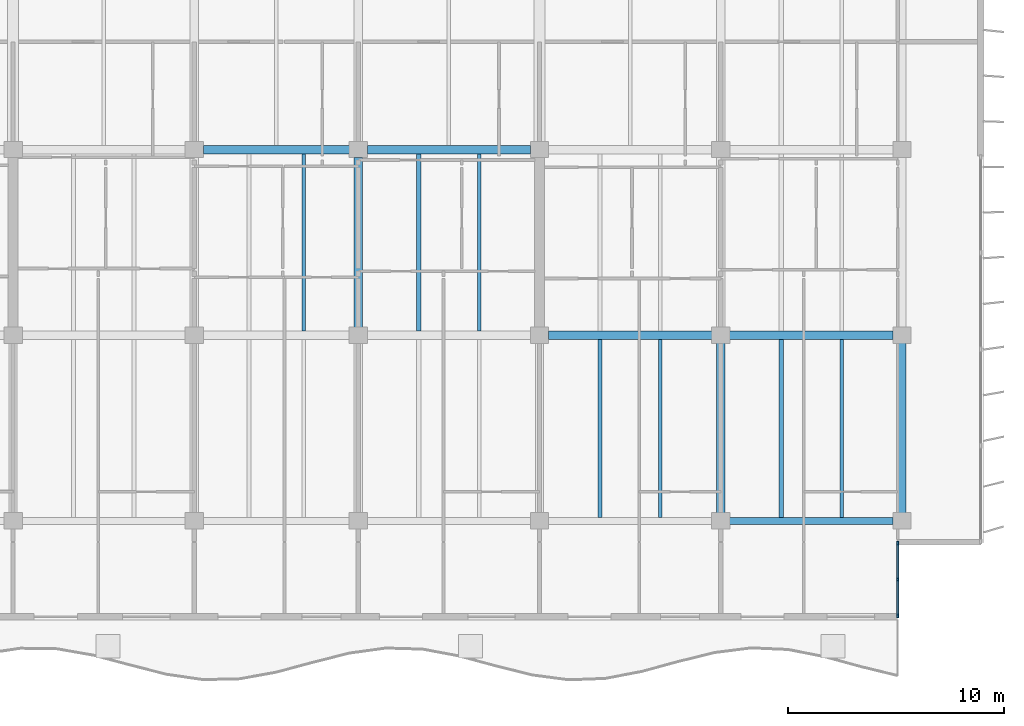
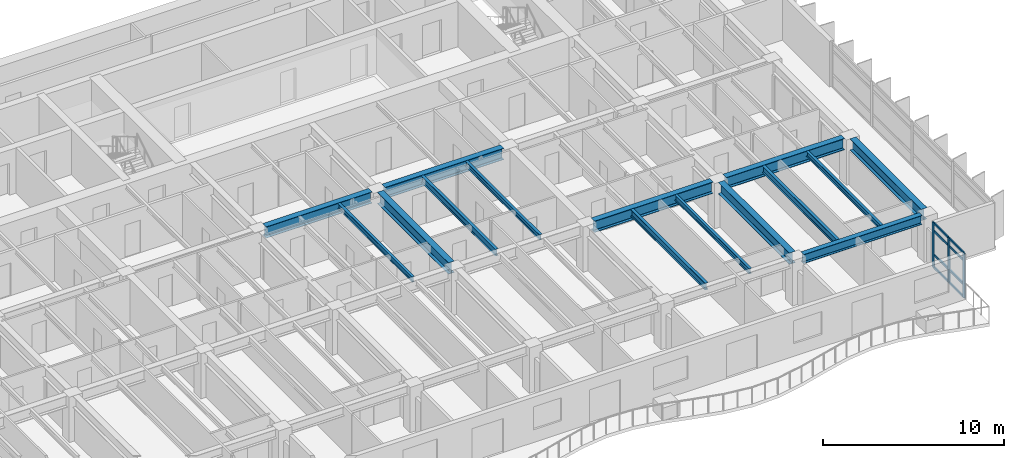
# One storey, part 4 of 19: 15 beams, 11 members, 1 element without a shape of its own.
"""IFC4 building model written with IfcOpenShell, lengths in metres."""

from ifc_helpers import new_model, si_unit, direction, frame, origin, origin_2d, place, context, subcontext, project, spatial, rectangle, i_section, extrude, material, layer, layer_set, material_profile, profile_set, type_object, element, aggregate, save


model = new_model("IFC4")

# Units and contexts
model_context = context("Model", 3, precision=1e-05, world=origin(), true_north=direction((0.0, 1.0)))
body_context = subcontext(model_context, "Body", "Model", "MODEL_VIEW")
ifc_project = project(units=[si_unit("LENGTHUNIT", "METRE"), si_unit("AREAUNIT", "SQUARE_METRE"), si_unit("VOLUMEUNIT", "CUBIC_METRE"), si_unit("PLANEANGLEUNIT", "RADIAN"), si_unit("MASSUNIT", "GRAM", prefix="KILO")], contexts=[model_context])

# Site, building, storey
site_placement = place(None, origin())
site = spatial("IfcSite", under=ifc_project, at=site_placement, CompositionType="ELEMENT")
building_placement = place(site_placement, origin())
building = spatial("IfcBuilding", under=site, at=building_placement, Name="Caelmar Bay Residences", CompositionType="ELEMENT")
storey_placement = place(building_placement, frame((0.0, 0.0, 214.800048828125)))
storey = spatial("IfcBuildingStorey", under=building, at=storey_placement, Name="L60", CompositionType="ELEMENT", Elevation=214.800048828125)

# Beams
ifc_material_1 = material(Name="Steel ASTM A992 Grade 50", Category="steel")
ifc_material_profile_1 = material_profile(ifc_material_1, i_section(OverallWidth=0.381103515625, OverallDepth=0.77197265625, WebThickness=0.0166015625, FlangeThickness=0.027099609375, FilletRadius=0.0166015625, at=origin_2d()), Name="W30X173")
ifc_profile_set_1 = profile_set([ifc_material_profile_1], Name="Steel ASTM A992 Grade 50")
beam_type_1 = type_object("IfcBeamType", Name="BM-GRD-W30X173", PredefinedType="BEAM", material=ifc_profile_set_1)
for number, where, z_axis, x_axis, name in (
    (1, (51.514892578125, 20.800048828125, 2.6640625), (1.0, 0.0, 0.0), (0.0, 1.0, 0.0), "L60 East-West Girder Y=20.80 (51.1-59.5)"),
    (2, (59.9150390625, 20.800048828125, 2.6640625), (1.0, 0.0, 0.0), (0.0, 1.0, 0.0), "L60 East-West Girder Y=20.80 (59.5-67.9)"),
):
    element("IfcBeam", number, at=place(storey_placement, frame(where, z_axis=z_axis, x_axis=x_axis)), inside=storey, type_object=beam_type_1, Name=name, PredefinedType="BEAM", context=body_context, shape_type="SweptSolid", body=[
        extrude(i_section(OverallWidth=0.381103515625, OverallDepth=0.77197265625, WebThickness=0.0166015625, FlangeThickness=0.027099609375, FilletRadius=0.0166015625, at=origin_2d()), origin(), (0.0, 0.0, 1.0), 7.570068359375),
    ])
beam_1_placement = place(storey_placement, frame((35.514892578125, 29.39990234375, 2.6640625), z_axis=(1.0, 0.0, 0.0), x_axis=(0.0, 1.0, 0.0)))
element("IfcBeam", 3, at=beam_1_placement, inside=storey, type_object=beam_type_1, Name="L60 East-West Girder Y=29.40 (35.1-42.7)", PredefinedType="BEAM", context=body_context, shape_type="SweptSolid", body=[
    extrude(i_section(OverallWidth=0.381103515625, OverallDepth=0.77197265625, WebThickness=0.0166015625, FlangeThickness=0.027099609375, FilletRadius=0.0166015625, at=origin_2d()), origin(), (0.0, 0.0, 1.0), 6.77001953125),
])
beam_2_placement = place(storey_placement, frame((43.114990234375, 29.39990234375, 2.6640625), z_axis=(1.0, 0.0, 0.0), x_axis=(0.0, 1.0, 0.0)))
element("IfcBeam", 4, at=beam_2_placement, inside=storey, type_object=beam_type_1, Name="L60 East-West Girder Y=29.40 (42.7-51.1)", PredefinedType="BEAM", context=body_context, shape_type="SweptSolid", body=[
    extrude(i_section(OverallWidth=0.381103515625, OverallDepth=0.77197265625, WebThickness=0.0166015625, FlangeThickness=0.027099609375, FilletRadius=0.0166015625, at=origin_2d()), origin(), (0.0, 0.0, 1.0), 7.570068359375),
])
beam_3_placement = place(storey_placement, frame((42.699951171875, 21.1650390625, 2.6640625), z_axis=(0.0, 1.0, 0.0), x_axis=(-1.0, 0.0, 0.0)))
element("IfcBeam", 5, at=beam_3_placement, inside=storey, type_object=beam_type_1, Name="L60 North-South Girder X=42.70 (20.8-29.4)", PredefinedType="BEAM", context=body_context, shape_type="SweptSolid", body=[
    extrude(i_section(OverallWidth=0.381103515625, OverallDepth=0.77197265625, WebThickness=0.0166015625, FlangeThickness=0.027099609375, FilletRadius=0.0166015625, at=origin_2d()), origin(), (0.0, 0.0, 1.0), 7.869873046875),
])
for number, where, z_axis, x_axis, name in (
    (6, (59.5, 12.56494140625, 2.6640625), (0.0, 1.0, 0.0), (-1.0, 0.0, 0.0), "L60 North-South Girder X=59.50 (12.2-20.8)"),
    (7, (67.89990234375, 12.56494140625, 2.6640625), (0.0, 1.0, 0.0), (-1.0, 0.0, 0.0), "L60 North-South Girder X=67.90 (12.2-20.8)"),
):
    element("IfcBeam", number, at=place(storey_placement, frame(where, z_axis=z_axis, x_axis=x_axis)), inside=storey, type_object=beam_type_1, Name=name, PredefinedType="BEAM", context=body_context, shape_type="SweptSolid", body=[
        extrude(i_section(OverallWidth=0.381103515625, OverallDepth=0.77197265625, WebThickness=0.0166015625, FlangeThickness=0.027099609375, FilletRadius=0.0166015625, at=origin_2d()), origin(), (0.0, 0.0, 1.0), 7.8701171875),
    ])
ifc_material_profile_2 = material_profile(ifc_material_1, i_section(OverallWidth=0.1708984375, OverallDepth=0.35595703125, WebThickness=0.007080078125, FlangeThickness=0.01171875, FilletRadius=0.007568359375, at=origin_2d()), Name="W14X34")
ifc_profile_set_2 = profile_set([ifc_material_profile_2], Name="Steel ASTM A992 Grade 50")
beam_type_2 = type_object("IfcBeamType", Name="BM-JST-W14X34", PredefinedType="JOIST", material=ifc_profile_set_2)
for number, where, z_axis, x_axis, name in (
    (8, (56.699951171875, 12.362548828125, 2.8720703125), (0.0, 1.0, 0.0), (-1.0, 0.0, 0.0), "L60 Composite Floor Joist 12"),
    (9, (65.10009765625, 12.362548828125, 2.8720703125), (0.0, 1.0, 0.0), (-1.0, 0.0, 0.0), "L60 Composite Floor Joist 14"),
):
    element("IfcBeam", number, at=place(storey_placement, frame(where, z_axis=z_axis, x_axis=x_axis)), inside=storey, type_object=beam_type_2, Name=name, PredefinedType="JOIST", context=body_context, shape_type="SweptSolid", body=[
        extrude(i_section(OverallWidth=0.1708984375, OverallDepth=0.35595703125, WebThickness=0.007080078125, FlangeThickness=0.01171875, FilletRadius=0.007568359375, at=origin_2d()), origin(), (0.0, 0.0, 1.0), 8.2470703125),
    ])
for number, where, z_axis, x_axis, name in (
    (10, (40.166748046875, 20.990478515625, 2.8720703125), (0.0, 1.0, 0.0), (-1.0, 0.0, 0.0), "L60 Composite Floor Joist 22"),
    (11, (48.300048828125, 20.990478515625, 2.8720703125), (0.0, 1.0, 0.0), (-1.0, 0.0, 0.0), "L60 Composite Floor Joist 24"),
):
    element("IfcBeam", number, at=place(storey_placement, frame(where, z_axis=z_axis, x_axis=x_axis)), inside=storey, type_object=beam_type_2, Name=name, PredefinedType="JOIST", context=body_context, shape_type="SweptSolid", body=[
        extrude(i_section(OverallWidth=0.1708984375, OverallDepth=0.35595703125, WebThickness=0.007080078125, FlangeThickness=0.01171875, FilletRadius=0.007568359375, at=origin_2d()), origin(), (0.0, 0.0, 1.0), 8.218994140625),
    ])
ifc_material_profile_3 = material_profile(ifc_material_1, i_section(OverallWidth=0.19091796875, OverallDepth=0.45703125, WebThickness=0.009033203125, FlangeThickness=0.014404296875, FilletRadius=0.01025390625, at=origin_2d()), Name="W18X50")
ifc_profile_set_3 = profile_set([ifc_material_profile_3], Name="Steel ASTM A992 Grade 50")
beam_type_3 = type_object("IfcBeamType", Name="BM-JST-W18X50", PredefinedType="JOIST", material=ifc_profile_set_3)
for number, where, z_axis, x_axis, name in (
    (12, (53.89990234375, 12.362548828125, 2.821533203125), (0.0, 1.0, 0.0), (-1.0, 0.0, 0.0), "L60 Composite Floor Joist 11"),
    (13, (62.300048828125, 12.362548828125, 2.821533203125), (0.0, 1.0, 0.0), (-1.0, 0.0, 0.0), "L60 Composite Floor Joist 13"),
):
    element("IfcBeam", number, at=place(storey_placement, frame(where, z_axis=z_axis, x_axis=x_axis)), inside=storey, type_object=beam_type_3, Name=name, PredefinedType="JOIST", context=body_context, shape_type="SweptSolid", body=[
        extrude(i_section(OverallWidth=0.19091796875, OverallDepth=0.45703125, WebThickness=0.009033203125, FlangeThickness=0.014404296875, FilletRadius=0.01025390625, at=origin_2d()), origin(), (0.0, 0.0, 1.0), 8.2470703125),
    ])
beam_4_placement = place(storey_placement, frame((45.5, 20.990478515625, 2.821533203125), z_axis=(0.0, 1.0, 0.0), x_axis=(-1.0, 0.0, 0.0)))
element("IfcBeam", 14, at=beam_4_placement, inside=storey, type_object=beam_type_3, Name="L60 Composite Floor Joist 23", PredefinedType="JOIST", context=body_context, shape_type="SweptSolid", body=[
    extrude(i_section(OverallWidth=0.19091796875, OverallDepth=0.45703125, WebThickness=0.009033203125, FlangeThickness=0.014404296875, FilletRadius=0.01025390625, at=origin_2d()), origin(), (0.0, 0.0, 1.0), 8.218994140625),
])
ifc_material_profile_4 = material_profile(ifc_material_1, i_section(OverallWidth=0.324951171875, OverallDepth=0.616943359375, WebThickness=0.013916015625, FlangeThickness=0.021484375, FilletRadius=0.0126953125, at=origin_2d()), Name="W24X117")
ifc_profile_set_4 = profile_set([ifc_material_profile_4], Name="Steel ASTM A992 Grade 50")
beam_type_4 = type_object("IfcBeamType", Name="BM-SPN-W24X117", PredefinedType="SPANDREL", material=ifc_profile_set_4)
beam_5_placement = place(storey_placement, frame((59.9150390625, 12.199951171875, 2.741455078125), z_axis=(1.0, 0.0, 0.0), x_axis=(0.0, 1.0, 0.0)))
element("IfcBeam", 15, at=beam_5_placement, inside=storey, type_object=beam_type_4, Name="L60 East-West Girder Y=12.20 (59.5-67.9)", PredefinedType="SPANDREL", context=body_context, shape_type="SweptSolid", body=[
    extrude(i_section(OverallWidth=0.324951171875, OverallDepth=0.616943359375, WebThickness=0.013916015625, FlangeThickness=0.021484375, FilletRadius=0.0126953125, at=origin_2d()), origin(), (0.0, 0.0, 1.0), 7.570068359375),
])

# Curtain wall, members
ifc_material_2 = material(Name="Anodised bronze aluminium 6063-T6 and laminated glass", Category="aluminium")
ifc_layer = layer(ifc_material_2, 0.179931640625)
ifc_layer_set = layer_set([ifc_layer], Name="Anodised bronze aluminium 6063-T6 and laminated glass")
curtain_wall_type = type_object("IfcCurtainWallType", Name="CW6-NTC", PredefinedType="NOTDEFINED", material=ifc_layer_set)
curtain_wall_placement = place(storey_placement, origin())
curtain_wall = element("IfcCurtainWall", 16, at=curtain_wall_placement, inside=storey, type_object=curtain_wall_type, Name="CW6 curtain wall L60", PredefinedType="NOTDEFINED")
ifc_material_3 = material(Name="Anodised bronze aluminium 6063-T6", Category="aluminium")
ifc_material_profile_5 = material_profile(ifc_material_3, rectangle(XDim=0.080078125, YDim=0.179931640625, at=origin_2d()), Name="CWM-80X180")
ifc_profile_set_5 = profile_set([ifc_material_profile_5], Name="Anodised bronze aluminium 6063-T6")
member_type_1 = type_object("IfcMemberType", Name="CWM-180", PredefinedType="MULLION", material=ifc_profile_set_5)
member_1_placement = place(storey_placement, frame((67.699951171875, 7.7900390625, 0.0), z_axis=(0.0, 0.0, 1.0), x_axis=(-1.0, 0.0, 0.0)))
member_1 = element("IfcMember", 17, at=member_1_placement, type_object=member_type_1, Name="CW6 mullion 1", PredefinedType="MULLION", context=body_context, shape_type="SweptSolid", body=[
    extrude(rectangle(XDim=0.080078125, YDim=0.179931640625, at=origin_2d()), origin(), (0.0, 0.0, 1.0), 3.050048828125),
])
member_2_placement = place(storey_placement, frame((67.699951171875, 9.47509765625, 0.0), z_axis=(0.0, 0.0, 1.0), x_axis=(-1.0, 0.0, 0.0)))
member_2 = element("IfcMember", 18, at=member_2_placement, type_object=member_type_1, Name="CW6 mullion 2", PredefinedType="MULLION", context=body_context, shape_type="SweptSolid", body=[
    extrude(rectangle(XDim=0.080078125, YDim=0.179931640625, at=origin_2d()), origin(), (0.0, 0.0, 1.0), 3.050048828125),
])
member_3_placement = place(storey_placement, frame((67.699951171875, 11.159912109375, 0.0), z_axis=(0.0, 0.0, 1.0), x_axis=(-1.0, 0.0, 0.0)))
member_3 = element("IfcMember", 19, at=member_3_placement, type_object=member_type_1, Name="CW6 mullion 3", PredefinedType="MULLION", context=body_context, shape_type="SweptSolid", body=[
    extrude(rectangle(XDim=0.080078125, YDim=0.179931640625, at=origin_2d()), origin(), (0.0, 0.0, 1.0), 3.050048828125),
])
ifc_material_profile_6 = material_profile(ifc_material_3, rectangle(XDim=0.080078125, YDim=0.139892578125, at=origin_2d()), Name="CWT-80X140")
ifc_profile_set_6 = profile_set([ifc_material_profile_6], Name="Anodised bronze aluminium 6063-T6")
member_type_2 = type_object("IfcMemberType", Name="CWT-140", PredefinedType="NOTDEFINED", material=ifc_profile_set_6)
member_4_placement = place(storey_placement, frame((67.699951171875, 7.830078125, 0.0400390625), z_axis=(0.0, 1.0, 0.0), x_axis=(-1.0, 0.0, 0.0)))
member_4 = element("IfcMember", 20, at=member_4_placement, type_object=member_type_2, Name="CW6 transom 1.1", ObjectType="TRANSOM", PredefinedType="USERDEFINED", context=body_context, shape_type="SweptSolid", body=[
    extrude(rectangle(XDim=0.080078125, YDim=0.139892578125, at=origin_2d()), origin(), (0.0, 0.0, 1.0), 1.60498046875),
])
member_5_placement = place(storey_placement, frame((67.699951171875, 7.830078125, 0.89990234375), z_axis=(0.0, 1.0, 0.0), x_axis=(-1.0, 0.0, 0.0)))
member_5 = element("IfcMember", 21, at=member_5_placement, type_object=member_type_2, Name="CW6 transom 1.2", ObjectType="TRANSOM", PredefinedType="USERDEFINED", context=body_context, shape_type="SweptSolid", body=[
    extrude(rectangle(XDim=0.080078125, YDim=0.139892578125, at=origin_2d()), origin(), (0.0, 0.0, 1.0), 1.60498046875),
])
member_6_placement = place(storey_placement, frame((67.699951171875, 7.830078125, 2.5), z_axis=(0.0, 1.0, 0.0), x_axis=(-1.0, 0.0, 0.0)))
member_6 = element("IfcMember", 22, at=member_6_placement, type_object=member_type_2, Name="CW6 transom 1.3", ObjectType="TRANSOM", PredefinedType="USERDEFINED", context=body_context, shape_type="SweptSolid", body=[
    extrude(rectangle(XDim=0.080078125, YDim=0.139892578125, at=origin_2d()), origin(), (0.0, 0.0, 1.0), 1.60498046875),
])
member_7_placement = place(storey_placement, frame((67.699951171875, 7.830078125, 3.010009765625), z_axis=(0.0, 1.0, 0.0), x_axis=(-1.0, 0.0, 0.0)))
member_7 = element("IfcMember", 23, at=member_7_placement, type_object=member_type_2, Name="CW6 transom 1.4", ObjectType="TRANSOM", PredefinedType="USERDEFINED", context=body_context, shape_type="SweptSolid", body=[
    extrude(rectangle(XDim=0.080078125, YDim=0.139892578125, at=origin_2d()), origin(), (0.0, 0.0, 1.0), 1.60498046875),
])
member_8_placement = place(storey_placement, frame((67.699951171875, 9.514892578125, 0.0400390625), z_axis=(0.0, 1.0, 0.0), x_axis=(-1.0, 0.0, 0.0)))
member_8 = element("IfcMember", 24, at=member_8_placement, type_object=member_type_2, Name="CW6 transom 2.1", ObjectType="TRANSOM", PredefinedType="USERDEFINED", context=body_context, shape_type="SweptSolid", body=[
    extrude(rectangle(XDim=0.080078125, YDim=0.139892578125, at=origin_2d()), origin(), (0.0, 0.0, 1.0), 1.605224609375),
])
member_9_placement = place(storey_placement, frame((67.699951171875, 9.514892578125, 0.89990234375), z_axis=(0.0, 1.0, 0.0), x_axis=(-1.0, 0.0, 0.0)))
member_9 = element("IfcMember", 25, at=member_9_placement, type_object=member_type_2, Name="CW6 transom 2.2", ObjectType="TRANSOM", PredefinedType="USERDEFINED", context=body_context, shape_type="SweptSolid", body=[
    extrude(rectangle(XDim=0.080078125, YDim=0.139892578125, at=origin_2d()), origin(), (0.0, 0.0, 1.0), 1.605224609375),
])
member_10_placement = place(storey_placement, frame((67.699951171875, 9.514892578125, 2.5), z_axis=(0.0, 1.0, 0.0), x_axis=(-1.0, 0.0, 0.0)))
member_10 = element("IfcMember", 26, at=member_10_placement, type_object=member_type_2, Name="CW6 transom 2.3", ObjectType="TRANSOM", PredefinedType="USERDEFINED", context=body_context, shape_type="SweptSolid", body=[
    extrude(rectangle(XDim=0.080078125, YDim=0.139892578125, at=origin_2d()), origin(), (0.0, 0.0, 1.0), 1.605224609375),
])
member_11_placement = place(storey_placement, frame((67.699951171875, 9.514892578125, 3.010009765625), z_axis=(0.0, 1.0, 0.0), x_axis=(-1.0, 0.0, 0.0)))
member_11 = element("IfcMember", 27, at=member_11_placement, type_object=member_type_2, Name="CW6 transom 2.4", ObjectType="TRANSOM", PredefinedType="USERDEFINED", context=body_context, shape_type="SweptSolid", body=[
    extrude(rectangle(XDim=0.080078125, YDim=0.139892578125, at=origin_2d()), origin(), (0.0, 0.0, 1.0), 1.605224609375),
])
aggregate(curtain_wall, [member_1, member_2, member_3, member_4, member_5, member_6, member_7, member_8, member_9, member_10, member_11])

save(model, "model.ifc")
